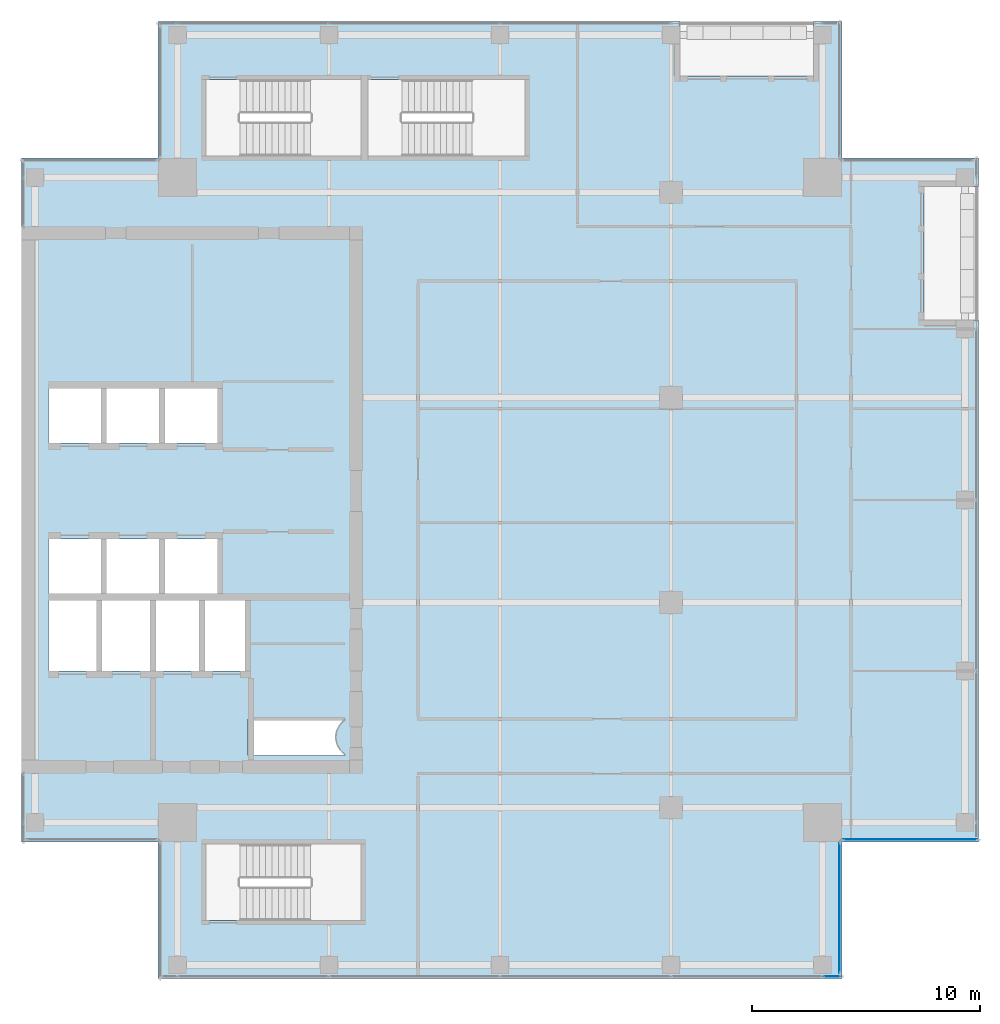
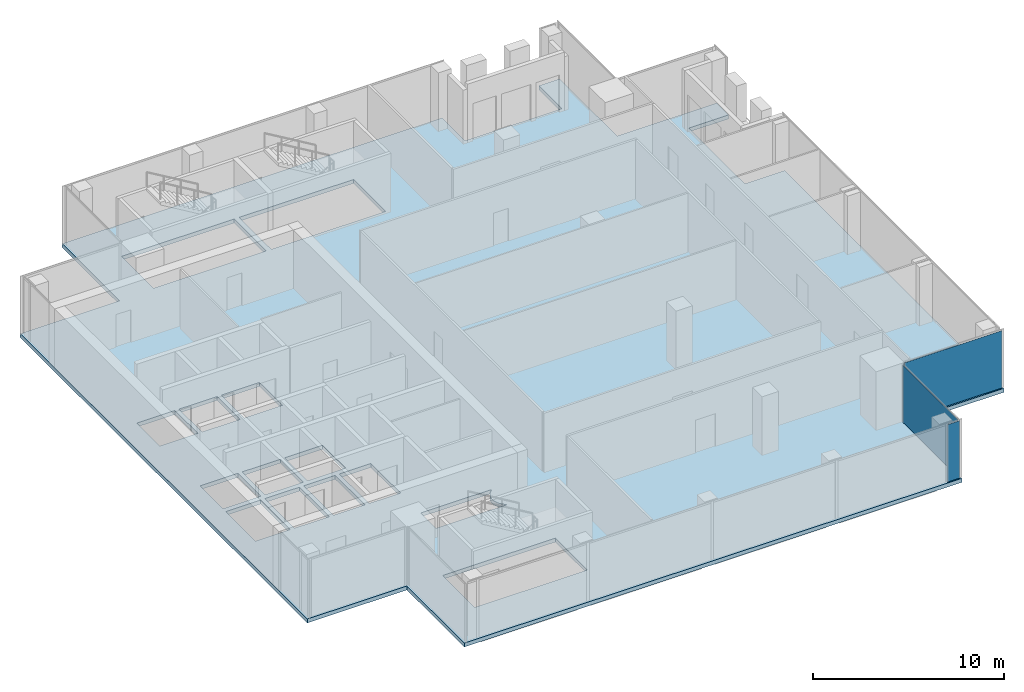
# One storey, part 21 of 29: 3 plates, 1 slab, 3 elements without a shape of their own.
"""IFC4 building model written with IfcOpenShell, lengths in metres."""

from ifc_helpers import new_model, si_unit, direction, frame, origin, origin_2d, place, context, subcontext, project, spatial, polyline, rectangle, outline, extrude, source, transform, mapped, material, layer, layer_set, type_object, element, aggregate, save


model = new_model("IFC4")

# Units and contexts
model_context = context("Model", 3, precision=1e-05, world=origin(), true_north=direction((0.0, 1.0)))
body_context = subcontext(model_context, "Body", "Model", "MODEL_VIEW")
ifc_project = project(units=[si_unit("LENGTHUNIT", "METRE"), si_unit("AREAUNIT", "SQUARE_METRE"), si_unit("VOLUMEUNIT", "CUBIC_METRE"), si_unit("PLANEANGLEUNIT", "RADIAN"), si_unit("MASSUNIT", "GRAM", prefix="KILO")], contexts=[model_context])

# Site, building, storey
site_placement = place(None, origin())
site = spatial("IfcSite", under=ifc_project, at=site_placement, CompositionType="ELEMENT")
building_placement = place(site_placement, origin())
building = spatial("IfcBuilding", under=site, at=building_placement, Name="Khomas Fold Tower", CompositionType="ELEMENT")
storey_placement = place(building_placement, frame((0.0, 0.0, 314.199951171875)))
storey = spatial("IfcBuildingStorey", under=building, at=storey_placement, Name="L71", CompositionType="ELEMENT", Elevation=314.199951171875)

# Slab
ifc_material_1 = material(Name="Concrete C40/50", Category="concrete")
ifc_layer_1 = layer(ifc_material_1, 0.25)
ifc_layer_set_1 = layer_set([ifc_layer_1], Name="Concrete C40/50")
slab_type = type_object("IfcSlabType", Name="RC floor slab 250", PredefinedType="FLOOR", material=ifc_layer_set_1)
shared_shape_1 = source(origin(), body_context, "Body", "SweptSolid", [
    extrude(outline(polyline([(6.0, 12.0), (12.0, 12.0), (12.0, 6.0), (42.0, 6.0), (42.0, 12.0), (48.0, 12.0), (48.0, 34.89990234375), (45.60009765625, 34.89990234375), (45.60009765625, 40.75), (48.0, 40.75), (48.0, 42.0), (42.0, 42.0), (42.0, 48.0), (40.75, 48.0), (40.75, 45.60009765625), (34.89990234375, 45.60009765625), (34.89990234375, 48.0), (12.0, 48.0), (12.0, 42.0), (6.0, 42.0), (6.0, 12.0)]), holes=[polyline([(7.199951171875, 19.5), (7.199951171875, 22.60009765625), (9.300048828125, 22.60009765625), (9.300048828125, 19.5), (7.199951171875, 19.5)]), polyline([(7.199951171875, 22.89990234375), (7.199951171875, 25.300048828125), (9.5, 25.300048828125), (9.5, 22.89990234375), (7.199951171875, 22.89990234375)]), polyline([(7.199951171875, 29.5), (7.199951171875, 31.89990234375), (9.5, 31.89990234375), (9.5, 29.5), (7.199951171875, 29.5)]), polyline([(9.550048828125, 19.5), (9.550048828125, 22.60009765625), (11.64990234375, 22.60009765625), (11.64990234375, 19.5), (9.550048828125, 19.5)]), polyline([(9.75, 22.89990234375), (9.75, 25.300048828125), (12.050048828125, 25.300048828125), (12.050048828125, 22.89990234375), (9.75, 22.89990234375)]), polyline([(9.75, 29.5), (9.75, 31.89990234375), (12.050048828125, 31.89990234375), (12.050048828125, 29.5), (9.75, 29.5)]), polyline([(11.89990234375, 19.5), (11.89990234375, 22.60009765625), (13.800048828125, 22.60009765625), (13.800048828125, 19.5), (11.89990234375, 19.5)]), polyline([(12.300048828125, 22.89990234375), (12.300048828125, 25.300048828125), (14.60009765625, 25.300048828125), (14.60009765625, 22.89990234375), (12.300048828125, 22.89990234375)]), polyline([(12.300048828125, 29.5), (12.300048828125, 31.89990234375), (14.60009765625, 31.89990234375), (14.60009765625, 29.5), (12.300048828125, 29.5)]), polyline([(14.050048828125, 19.5), (14.050048828125, 22.60009765625), (15.949951171875, 22.60009765625), (15.949951171875, 19.5), (14.050048828125, 19.5)]), polyline([(14.10009765625, 8.550048828125), (14.10009765625, 11.89990234375), (20.89990234375, 11.89990234375), (20.89990234375, 8.550048828125), (14.10009765625, 8.550048828125)]), polyline([(14.10009765625, 42.10009765625), (14.10009765625, 45.449951171875), (20.89990234375, 45.449951171875), (20.89990234375, 42.10009765625), (14.10009765625, 42.10009765625)]), polyline([(15.949951171875, 15.800048828125), (15.949951171875, 17.39990234375), (20.199951171875, 17.39990234375), (20.199951171875, 17.348388671875), (20.199951171875, 17.348388671875), (20.12890625, 17.295654296875), (20.063720703125, 17.236328125), (20.00439453125, 17.1708984375), (19.95166015625, 17.10009765625), (19.90625, 17.0244140625), (19.868408203125, 16.9443359375), (19.8388671875, 16.861328125), (19.8173828125, 16.775634765625), (19.80419921875, 16.688232421875), (19.800048828125, 16.60009765625), (19.80419921875, 16.51171875), (19.8173828125, 16.42431640625), (19.8388671875, 16.338623046875), (19.868408203125, 16.255615234375), (19.90625, 16.17578125), (19.95166015625, 16.10009765625), (20.00439453125, 16.029052734375), (20.063720703125, 15.963623046875), (20.12890625, 15.904296875), (20.199951171875, 15.851806640625), (20.199951171875, 15.851806640625), (20.199951171875, 15.800048828125), (15.949951171875, 15.800048828125)]), polyline([(21.199951171875, 42.10009765625), (21.199951171875, 45.449951171875), (28.10009765625, 45.449951171875), (28.10009765625, 42.10009765625), (21.199951171875, 42.10009765625)])]), origin(), (0.0, 0.0, 1.0), 0.25),
])
slab_placement = place(storey_placement, frame((0.0, 0.0, -0.25)))
element("IfcSlab", 1, at=slab_placement, inside=storey, type_object=slab_type, Name="S-L71", PredefinedType="FLOOR", context=body_context, shape_type="MappedRepresentation", body=[
    mapped(shared_shape_1, transform((0.0, 0.0, 0.0))),
])

# Curtain wall, plate
ifc_material_2 = material(Name="Aluminium framed double glazing", Category="aluminium")
curtain_wall_type = type_object("IfcCurtainWallType", Name="SK-Unitised clear-glass wall, upper floors CW3", PredefinedType="NOTDEFINED", material=ifc_material_2)
curtain_wall_1_placement = place(storey_placement, origin())
curtain_wall_1 = element("IfcCurtainWall", 2, at=curtain_wall_1_placement, inside=storey, type_object=curtain_wall_type, Name="CW3 run L71 00-0", PredefinedType="NOTDEFINED")
ifc_material_3 = material(Name="Clear double glazed unit")
ifc_layer_2 = layer(ifc_material_3, 0.028076171875)
ifc_layer_set_2 = layer_set([ifc_layer_2], Name="Clear double glazed unit")
plate_type = type_object("IfcPlateType", Name="SK-Unitised clear-glass wall, upper floors glass panel CW3-P", PredefinedType="CURTAIN_PANEL", material=ifc_layer_set_2)
shared_shape_2 = source(origin(), body_context, "Body", "SweptSolid", [
    extrude(rectangle(XDim=0.77490234375, YDim=0.028076171875, at=origin_2d()), origin(), (0.0, 0.0, 1.0), 3.64990234375),
])
plate_1_placement = place(storey_placement, frame((41.5625, 6.10009765625, 0.0), z_axis=(0.0, 0.0, 1.0), x_axis=(1.0, 0.0, 0.0)))
plate_1 = element("IfcPlate", 3, at=plate_1_placement, type_object=plate_type, Name="CW3 glass panel 6", PredefinedType="CURTAIN_PANEL", context=body_context, shape_type="MappedRepresentation", body=[
    mapped(shared_shape_2, transform((0.0, 0.0, 0.0))),
])
aggregate(curtain_wall_1, [plate_1])

curtain_wall_2_placement = place(storey_placement, origin())
curtain_wall_2 = element("IfcCurtainWall", 4, at=curtain_wall_2_placement, inside=storey, type_object=curtain_wall_type, Name="CW3 corner return L71 01", PredefinedType="NOTDEFINED")
shared_shape_3 = source(origin(), body_context, "Body", "SweptSolid", [
    extrude(rectangle(XDim=5.699951171875, YDim=0.028076171875, at=origin_2d()), origin(), (0.0, 0.0, 1.0), 3.64990234375),
])
plate_2_placement = place(storey_placement, frame((41.89990234375, 9.10009765625, 0.0), z_axis=(0.0, 0.0, 1.0), x_axis=(0.0, 1.0, 0.0)))
plate_2 = element("IfcPlate", 5, at=plate_2_placement, type_object=plate_type, Name="CW3 glass panel 1", PredefinedType="CURTAIN_PANEL", context=body_context, shape_type="MappedRepresentation", body=[
    mapped(shared_shape_3, transform((0.0, 0.0, 0.0))),
])
aggregate(curtain_wall_2, [plate_2])

curtain_wall_3_placement = place(storey_placement, origin())
curtain_wall_3 = element("IfcCurtainWall", 6, at=curtain_wall_3_placement, inside=storey, type_object=curtain_wall_type, Name="CW3 corner return L71 02", PredefinedType="NOTDEFINED")
shared_shape_4 = source(origin(), body_context, "Body", "SweptSolid", [
    extrude(rectangle(XDim=5.89990234375, YDim=0.028076171875, at=origin_2d()), origin(), (0.0, 0.0, 1.0), 3.64990234375),
])
plate_3_placement = place(storey_placement, frame((45.0, 12.10009765625, 0.0), z_axis=(0.0, 0.0, 1.0), x_axis=(1.0, 0.0, 0.0)))
plate_3 = element("IfcPlate", 7, at=plate_3_placement, type_object=plate_type, Name="CW3 glass panel 1", PredefinedType="CURTAIN_PANEL", context=body_context, shape_type="MappedRepresentation", body=[
    mapped(shared_shape_4, transform((0.0, 0.0, 0.0))),
])
aggregate(curtain_wall_3, [plate_3])

save(model, "model.ifc")
